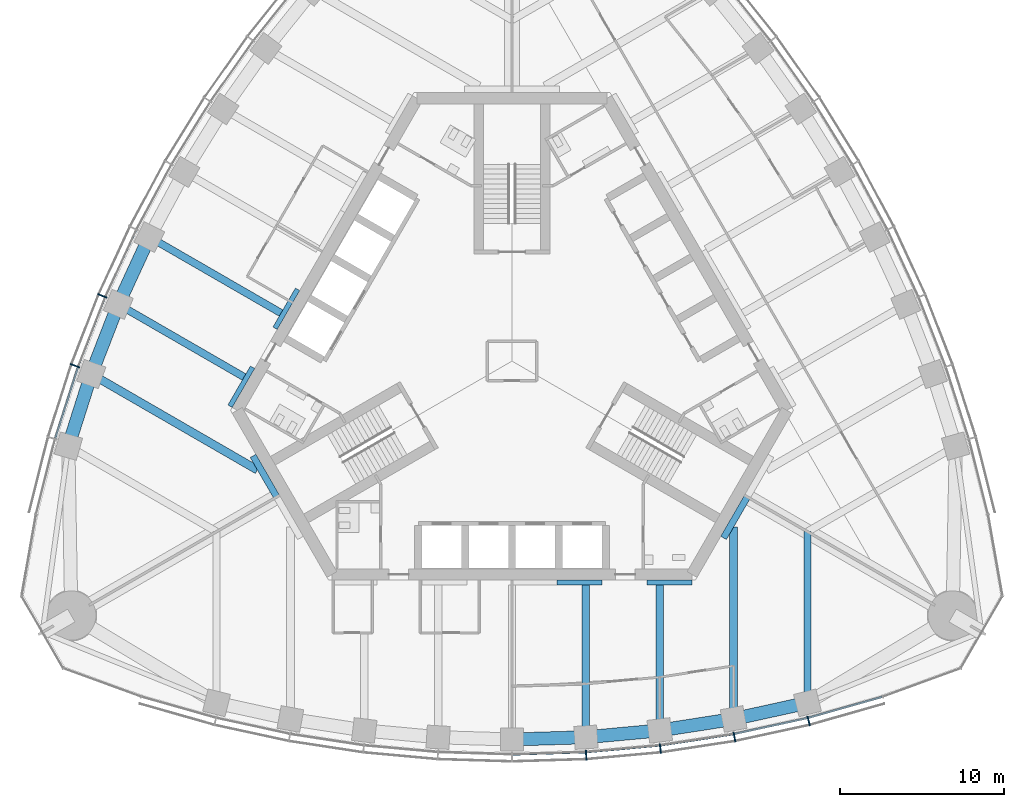
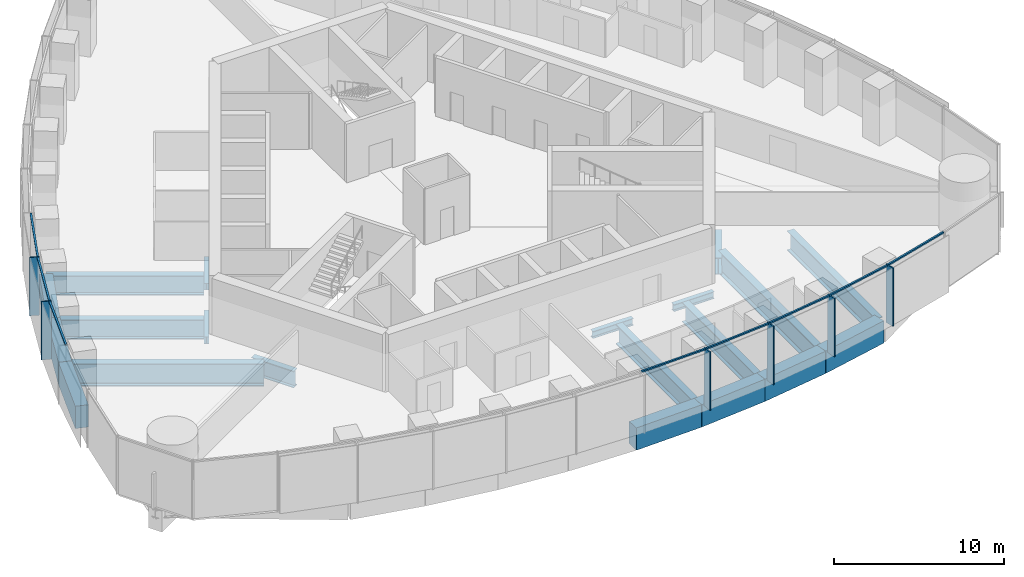
# One storey, part 3 of 15: 20 beams, 14 members, 2 elements without a shape of their own.
"""IFC4 building model written with IfcOpenShell, lengths in metres."""

import ifcopenshell
import ifcopenshell.guid

model = None  # the IFC model being written
_history = None  # IfcOwnerHistory: only IFC2X3 demands one
_inside = {}  # id of a spatial element -> (the spatial element, [elements in it])
_under = {}  # id of a project, library or spatial element -> (it, [spatial elements below it])
_declared = {}  # id of a project -> (the project, [libraries it declares])
_typed = {}  # id of a type object -> (the type object, [elements of that type])
_made_of = {}  # id of a material, layer set ... -> (it, [elements and type objects made of it])


def new_model(schema):
    """Start an empty IFC model of exactly this schema.

    Asked for "IFC4X3", IfcOpenShell would pick the latest addendum, in which some entities
    have other attributes; the version numbers below select the first issue.
    IFC2X3 requires an IfcOwnerHistory on every rooted entity: one is made here for all.
    """
    global model, _history
    if schema == "IFC4X3":
        model = ifcopenshell.file(schema_version=(4, 3, 0, 0))
    else:
        model = ifcopenshell.file(schema=schema)
    _inside.clear()
    _under.clear()
    _declared.clear()
    _typed.clear()
    _made_of.clear()
    _history = None
    if model.schema == "IFC2X3":
        org = make("IfcOrganization", Name="unknown")
        user = make(
            "IfcPersonAndOrganization",
            ThePerson=make("IfcPerson", FamilyName="unknown"),
            TheOrganization=org,
        )
        app = make(
            "IfcApplication",
            ApplicationDeveloper=org,
            Version="unknown",
            ApplicationFullName="unknown",
            ApplicationIdentifier="unknown",
        )
        _history = make(
            "IfcOwnerHistory",
            OwningUser=user,
            OwningApplication=app,
            ChangeAction="ADDED",
            CreationDate=0,
        )
    return model


def make(cls, **values):
    """One entity of the class cls with the attributes given. An attribute that is None is left unset."""
    return model.create_entity(
        cls, **{name: value for name, value in values.items() if value is not None}
    )


def rooted(cls, **values):
    """An entity with a GlobalId (a new one), such as an element, a storey or a relation."""
    return make(cls, GlobalId=ifcopenshell.guid.new(), OwnerHistory=_history, **values)


def si_unit(unit_type, name, prefix=None):
    """IfcSIUnit, for example si_unit("LENGTHUNIT", "METRE", prefix="MILLI")."""
    return make("IfcSIUnit", UnitType=unit_type, Prefix=prefix, Name=name)


def assignment(units):
    """IfcUnitAssignment: the units of a project."""
    return None if units is None else make("IfcUnitAssignment", Units=units)


def point(xyz):
    """IfcCartesianPoint."""
    return None if xyz is None else make("IfcCartesianPoint", Coordinates=xyz)


def direction(xyz):
    """IfcDirection."""
    return None if xyz is None else make("IfcDirection", DirectionRatios=xyz)


def frame(location, z_axis=None, x_axis=None):
    """IfcAxis2Placement3D, a coordinate frame: its origin and axes. An axis left out is left unset."""
    return make(
        "IfcAxis2Placement3D",
        Location=point(location),
        Axis=direction(z_axis),
        RefDirection=direction(x_axis),
    )


def frame_2d(location, x_axis=None):
    """IfcAxis2Placement2D, a coordinate frame in the plane: its origin and x axis."""
    return make(
        "IfcAxis2Placement2D", Location=point(location), RefDirection=direction(x_axis)
    )


def origin():
    """The frame at (0, 0, 0) with its axes left unset."""
    return frame((0.0, 0.0, 0.0))


def origin_2d():
    """The frame at (0, 0) in the plane with its x axis left unset."""
    return frame_2d((0.0, 0.0))


def place(relative_to, where):
    """IfcLocalPlacement: puts the frame where relative to a parent placement (None: the world)."""
    return make(
        "IfcLocalPlacement", PlacementRelTo=relative_to, RelativePlacement=where
    )


def context(
    kind, dimensions, precision=None, world=None, true_north=None, identifier=None
):
    """IfcGeometricRepresentationContext, for example the 3D "Model" context."""
    return make(
        "IfcGeometricRepresentationContext",
        ContextIdentifier=identifier,
        ContextType=kind,
        CoordinateSpaceDimension=dimensions,
        Precision=precision,
        WorldCoordinateSystem=world,
        TrueNorth=true_north,
    )


def subcontext(parent, identifier, kind, view, scale=None):
    """IfcGeometricRepresentationSubContext, for example "Body" below "Model"."""
    return make(
        "IfcGeometricRepresentationSubContext",
        ContextIdentifier=identifier,
        ContextType=kind,
        ParentContext=parent,
        TargetScale=scale,
        TargetView=view,
    )


def project(units=None, contexts=None):
    """IfcProject with its units and contexts."""
    return rooted(
        "IfcProject",
        Name="project",
        RepresentationContexts=contexts,
        UnitsInContext=assignment(units),
    )


def spatial(cls, under=None, at=None, **own):
    """A site, building, storey or space (cls), placed at a placement, below another one or the project."""
    s = rooted(cls, ObjectPlacement=at, **own)
    if under is not None:
        _under.setdefault(under.id(), (under, []))[1].append(s)
    return s


def profile(cls, at=None, kind="AREA", **sizes):
    """A parametric profile (cls). Its sizes go by their IFC names, for example OverallWidth=200.0."""
    return make(cls, ProfileType=kind, Position=at, **sizes)


def rectangle(**sizes):
    """IfcRectangleProfileDef."""
    return profile("IfcRectangleProfileDef", **sizes)


def i_section(**sizes):
    """IfcIShapeProfileDef."""
    return profile("IfcIShapeProfileDef", **sizes)


def extrude(swept, where, along, depth):
    """IfcExtrudedAreaSolid: the profile swept, set in the frame where, extruded along a direction by depth."""
    return make(
        "IfcExtrudedAreaSolid",
        SweptArea=swept,
        Position=where,
        ExtrudedDirection=direction(along),
        Depth=depth,
    )


def shape(context_of_items, identifier, shape_type, items):
    """IfcShapeRepresentation: the items that make up one representation, for example the "Body"."""
    return make(
        "IfcShapeRepresentation",
        ContextOfItems=context_of_items,
        RepresentationIdentifier=identifier,
        RepresentationType=shape_type,
        Items=items,
    )


def material(Name=None, Category=None):
    """IfcMaterial."""
    return make("IfcMaterial", Name=Name, Category=Category)


def material_profile(
    of_material, cross_section, Name=None, Category=None, Priority=None
):
    """IfcMaterialProfile: a cross section and its material."""
    return make(
        "IfcMaterialProfile",
        Name=Name,
        Material=of_material,
        Profile=cross_section,
        Priority=Priority,
        Category=Category,
    )


def profile_set(profiles, Name=None, composite=None):
    """IfcMaterialProfileSet."""
    return make(
        "IfcMaterialProfileSet",
        Name=Name,
        MaterialProfiles=profiles,
        CompositeProfile=composite,
    )


def made_of(thing, what):
    """Note that an element or type object is made of a material, layer set ...; save() writes the relation."""
    if what is not None:
        _made_of.setdefault(what.id(), (what, []))[1].append(thing)
    return thing


def type_object(cls, material=None, **own):
    """A type object (cls), such as IfcWallType, which elements share."""
    return made_of(rooted(cls, **own), material)


def element(
    cls,
    number,
    at=None,
    inside=None,
    cuts=None,
    type_object=None,
    material=None,
    context=None,
    identifier="Body",
    shape_type=None,
    held_by="IfcProductDefinitionShape",
    body=None,
    shapes=None,
    **own,
):
    """One element of the class cls, such as IfcWall. Its Tag is "e" and its number.

    at: its placement. inside: the storey or other place that contains it. cuts: it is an
    opening in that element (IfcRelVoidsElement). A single representation is given by context,
    identifier, shape_type and body (its items); several are given by shapes. held_by: the class
    of the entity that holds the representations. save() writes the other relations.
    """
    e = rooted(cls, Tag="e%d" % number, ObjectPlacement=at, **own)
    if body is not None:
        shapes = [shape(context, identifier, shape_type, body)]
    if shapes is not None:
        e.Representation = make(held_by, Representations=shapes)
    if inside is not None:
        _inside.setdefault(inside.id(), (inside, []))[1].append(e)
    if cuts is not None:
        rooted(
            "IfcRelVoidsElement", RelatingBuildingElement=cuts, RelatedOpeningElement=e
        )
    if type_object is not None:
        _typed.setdefault(type_object.id(), (type_object, []))[1].append(e)
    return made_of(e, material)


def aggregate(whole, parts):
    """IfcRelAggregates: a whole, such as a stair, and the parts it consists of."""
    return rooted("IfcRelAggregates", RelatingObject=whole, RelatedObjects=parts)


def save(model, path):
    """Write the relations noted so far, then the file.

    IfcRelAggregates (storeys below a building ...), IfcRelContainedInSpatialStructure (elements
    in a storey), IfcRelDefinesByType, IfcRelAssociatesMaterial and IfcRelDeclares: one each for
    every whole, place, type object, material and project.
    """
    for whole, parts in _under.values():
        aggregate(whole, parts)
    for where, things in _inside.values():
        rooted(
            "IfcRelContainedInSpatialStructure",
            RelatedElements=things,
            RelatingStructure=where,
        )
    for kind, things in _typed.values():
        rooted("IfcRelDefinesByType", RelatedObjects=things, RelatingType=kind)
    for what, things in _made_of.values():
        rooted("IfcRelAssociatesMaterial", RelatedObjects=things, RelatingMaterial=what)
    for by, libraries in _declared.values():
        rooted("IfcRelDeclares", RelatingContext=by, RelatedDefinitions=libraries)
    model.write(path)


model = new_model("IFC4")

# Units and contexts
model_context = context("Model", 3, precision=1e-05, world=origin(), true_north=direction((0.0, 1.0)))
body_context = subcontext(model_context, "Body", "Model", "MODEL_VIEW")
ifc_project = project(units=[si_unit("LENGTHUNIT", "METRE"), si_unit("AREAUNIT", "SQUARE_METRE"), si_unit("VOLUMEUNIT", "CUBIC_METRE"), si_unit("PLANEANGLEUNIT", "RADIAN"), si_unit("MASSUNIT", "GRAM", prefix="KILO")], contexts=[model_context])

# Site, building, storey
site_placement = place(None, origin())
site = spatial("IfcSite", under=ifc_project, at=site_placement, CompositionType="ELEMENT")
building_placement = place(site_placement, origin())
building = spatial("IfcBuilding", under=site, at=building_placement, Name="Trefoil Bronze Tower", CompositionType="ELEMENT")
storey_placement = place(building_placement, frame((0.0, 0.0, 276.300048828125)))
storey = spatial("IfcBuildingStorey", under=building, at=storey_placement, Name="L63", CompositionType="ELEMENT", Elevation=276.300048828125)

# Curtain wall, members
ifc_material_1 = material(Name="Tinted solar-control glass", Category="glass")
curtain_wall_type = type_object("IfcCurtainWallType", Name="Bronze office curtain wall", PredefinedType="USERDEFINED", material=ifc_material_1)
curtain_wall_1_placement = place(storey_placement, origin())
curtain_wall_1 = element("IfcCurtainWall", 1, at=curtain_wall_1_placement, inside=storey, type_object=curtain_wall_type, Name="CW-A L63 F1", ObjectType="CURTAIN WALL", PredefinedType="USERDEFINED")
ifc_material_2 = material(Name="Bronze-finish aluminium", Category="aluminium")
ifc_material_profile_1 = material_profile(ifc_material_2, rectangle(XDim=0.60009765625, YDim=0.080078125, at=origin_2d()), Name="CW-A mullion")
ifc_profile_set_1 = profile_set([ifc_material_profile_1], Name="Bronze-finish aluminium")
member_type_1 = type_object("IfcMemberType", Name="Bronze office curtain wall mullion", PredefinedType="MULLION", material=ifc_profile_set_1)
member_1_placement = place(storey_placement, frame((4.51806640625, -24.014892578125, 0.0), z_axis=(0.0, 0.0, 1.0), x_axis=(-0.060554040199, 0.998164920349, 0.0)))
member_1 = element("IfcMember", 2, at=member_1_placement, type_object=member_type_1, Name="CW-A L63 F1 mullion 7", PredefinedType="MULLION", context=body_context, shape_type="SweptSolid", body=[
    extrude(rectangle(XDim=0.60009765625, YDim=0.080078125, at=origin_2d()), origin(), (0.0, 0.0, 1.0), 4.179931640625),
])
member_2_placement = place(storey_placement, frame((9.036376953125, -23.602783203125, 0.0), z_axis=(0.0, 0.0, 1.0), x_axis=(-0.121109330868, 0.992639174109, 0.0)))
member_2 = element("IfcMember", 3, at=member_2_placement, type_object=member_type_1, Name="CW-A L63 F1 mullion 8", PredefinedType="MULLION", context=body_context, shape_type="SweptSolid", body=[
    extrude(rectangle(XDim=0.60009765625, YDim=0.080078125, at=origin_2d()), origin(), (0.0, 0.0, 1.0), 4.179931640625),
])
member_3_placement = place(storey_placement, frame((13.554443359375, -22.911376953125, 0.0), z_axis=(0.0, 0.0, 1.0), x_axis=(-0.181667218242, 0.983360067227, 0.0)))
member_3 = element("IfcMember", 4, at=member_3_placement, type_object=member_type_1, Name="CW-A L63 F1 mullion 9", PredefinedType="MULLION", context=body_context, shape_type="SweptSolid", body=[
    extrude(rectangle(XDim=0.60009765625, YDim=0.080078125, at=origin_2d()), origin(), (0.0, 0.0, 1.0), 4.179931640625),
])
member_4_placement = place(storey_placement, frame((18.07275390625, -21.931884765625, 0.0), z_axis=(0.0, 0.0, 1.0), x_axis=(-0.242394494031, 0.97017777199, 0.0)))
member_4 = element("IfcMember", 5, at=member_4_placement, type_object=member_type_1, Name="CW-A L63 F1 mullion 10", PredefinedType="MULLION", context=body_context, shape_type="SweptSolid", body=[
    extrude(rectangle(XDim=0.60009765625, YDim=0.080078125, at=origin_2d()), origin(), (0.0, 0.0, 1.0), 4.179931640625),
])

curtain_wall_2_placement = place(storey_placement, origin())
curtain_wall_2 = element("IfcCurtainWall", 6, at=curtain_wall_2_placement, inside=storey, type_object=curtain_wall_type, Name="CW-A L63 F3", ObjectType="CURTAIN WALL", PredefinedType="USERDEFINED")
member_5_placement = place(storey_placement, frame((-24.958984375, 3.975830078125, 0.0), z_axis=(0.0, 0.0, 1.0), x_axis=(0.920205407004, -0.391435829888, 0.0)))
member_5 = element("IfcMember", 7, at=member_5_placement, type_object=member_type_1, Name="CW-A L63 F3 mullion 8", PredefinedType="MULLION", context=body_context, shape_type="SweptSolid", body=[
    extrude(rectangle(XDim=0.60009765625, YDim=0.080078125, at=origin_2d()), origin(), (0.0, 0.0, 1.0), 4.179931640625),
])
member_6_placement = place(storey_placement, frame((-26.618896484375, -0.282958984375, 0.0), z_axis=(0.0, 0.0, 1.0), x_axis=(0.942448408407, -0.334351607581, 0.0)))
member_6 = element("IfcMember", 8, at=member_6_placement, type_object=member_type_1, Name="CW-A L63 F3 mullion 9", PredefinedType="MULLION", context=body_context, shape_type="SweptSolid", body=[
    extrude(rectangle(XDim=0.60009765625, YDim=0.080078125, at=origin_2d()), origin(), (0.0, 0.0, 1.0), 4.179931640625),
])

# Member
ifc_material_3 = material(Name="Bronze-finish aluminium", Category="aluminium")
ifc_material_profile_2 = material_profile(ifc_material_3, rectangle(XDim=0.1201171875, YDim=0.10009765625, at=origin_2d()), Name="CW-A transom")
ifc_profile_set_2 = profile_set([ifc_material_profile_2], Name="Bronze-finish aluminium")
member_type_2 = type_object("IfcMemberType", Name="Bronze office curtain wall transom", PredefinedType="USERDEFINED", material=ifc_profile_set_2)
member_7_placement = place(storey_placement, frame((0.04296875, -23.950439453125, 4.1298828125), z_axis=(0.99954057115, 0.030309183848, 0.0), x_axis=(-0.030309183848, 0.99954057115, 0.0)))
member_7 = element("IfcMember", 9, at=member_7_placement, type_object=member_type_2, Name="CW-A L63 F1 transom 6", ObjectType="TRANSOM", PredefinedType="USERDEFINED", context=body_context, shape_type="SweptSolid", body=[
    extrude(rectangle(XDim=0.1201171875, YDim=0.10009765625, at=origin_2d()), origin(), (0.0, 0.0, 1.0), 4.422119140625),
])

member_8_placement = place(storey_placement, frame((4.548828125, -23.811279296875, 4.1298828125), z_axis=(0.995868373079, 0.090808499059, 0.0), x_axis=(-0.090808499059, 0.995868373079, 0.0)))
member_8 = element("IfcMember", 10, at=member_8_placement, type_object=member_type_2, Name="CW-A L63 F1 transom 7", ObjectType="TRANSOM", PredefinedType="USERDEFINED", context=body_context, shape_type="SweptSolid", body=[
    extrude(rectangle(XDim=0.1201171875, YDim=0.10009765625, at=origin_2d()), origin(), (0.0, 0.0, 1.0), 4.438720703125),
])

member_9_placement = place(storey_placement, frame((9.0546875, -23.39794921875, 4.1298828125), z_axis=(0.988485016014, 0.151318779787, 0.0), x_axis=(-0.151318779787, 0.988485016014, 0.0)))
member_9 = element("IfcMember", 11, at=member_9_placement, type_object=member_type_2, Name="CW-A L63 F1 transom 8", ObjectType="TRANSOM", PredefinedType="USERDEFINED", context=body_context, shape_type="SweptSolid", body=[
    extrude(rectangle(XDim=0.1201171875, YDim=0.10009765625, at=origin_2d()), origin(), (0.0, 0.0, 1.0), 4.472412109375),
])

member_10_placement = place(storey_placement, frame((13.560302734375, -22.70556640625, 4.1298828125), z_axis=(0.977303780028, 0.211842681117, 0.0), x_axis=(-0.211842681117, 0.977303780028, 0.0)))
member_10 = element("IfcMember", 12, at=member_10_placement, type_object=member_type_2, Name="CW-A L63 F1 transom 9", ObjectType="TRANSOM", PredefinedType="USERDEFINED", context=body_context, shape_type="SweptSolid", body=[
    extrude(rectangle(XDim=0.1201171875, YDim=0.10009765625, at=origin_2d()), origin(), (0.0, 0.0, 1.0), 4.524658203125),
])

member_11_placement = place(storey_placement, frame((18.065673828125, -21.72607421875, 4.1298828125), z_axis=(0.962102611578, 0.272687668944, 0.0), x_axis=(-0.272687668944, 0.962102611578, 0.0)))
member_11 = element("IfcMember", 13, at=member_11_placement, type_object=member_type_2, Name="CW-A L63 F1 transom 10", ObjectType="TRANSOM", PredefinedType="USERDEFINED", context=body_context, shape_type="SweptSolid", body=[
    extrude(rectangle(XDim=0.1201171875, YDim=0.10009765625, at=origin_2d()), origin(), (0.0, 0.0, 1.0), 4.6474609375),
])

aggregate(curtain_wall_1, [member_1, member_2, member_3, member_4, member_7, member_8, member_9, member_10, member_11])

member_12_placement = place(storey_placement, frame((-22.895751953125, 7.966064453125, 4.1298828125), z_axis=(-0.4192988407, -0.907848270466, 0.0), x_axis=(0.907848270466, -0.4192988407, 0.0)))
member_12 = element("IfcMember", 14, at=member_12_placement, type_object=member_type_2, Name="CW-A L63 F3 transom 7", ObjectType="TRANSOM", PredefinedType="USERDEFINED", context=body_context, shape_type="SweptSolid", body=[
    extrude(rectangle(XDim=0.1201171875, YDim=0.10009765625, at=origin_2d()), origin(), (0.0, 0.0, 1.0), 4.4384765625),
])

member_13_placement = place(storey_placement, frame((-24.79052734375, 3.857421875, 4.1298828125), z_axis=(-0.363178486404, -0.931719586042, 0.0), x_axis=(0.931719586042, -0.363178486404, 0.0)))
member_13 = element("IfcMember", 15, at=member_13_placement, type_object=member_type_2, Name="CW-A L63 F3 transom 8", ObjectType="TRANSOM", PredefinedType="USERDEFINED", context=body_context, shape_type="SweptSolid", body=[
    extrude(rectangle(XDim=0.1201171875, YDim=0.10009765625, at=origin_2d()), origin(), (0.0, 0.0, 1.0), 4.472412109375),
])

member_14_placement = place(storey_placement, frame((-26.443603515625, -0.390869140625, 4.1298828125), z_axis=(-0.305198606794, -0.95228872219, 0.0), x_axis=(0.95228872219, -0.305198606794, 0.0)))
member_14 = element("IfcMember", 16, at=member_14_placement, type_object=member_type_2, Name="CW-A L63 F3 transom 9", ObjectType="TRANSOM", PredefinedType="USERDEFINED", context=body_context, shape_type="SweptSolid", body=[
    extrude(rectangle(XDim=0.1201171875, YDim=0.10009765625, at=origin_2d()), origin(), (0.0, 0.0, 1.0), 4.5244140625),
])

aggregate(curtain_wall_2, [member_5, member_6, member_12, member_13, member_14])

# Beams
ifc_material_4 = material(Name="Steel C355", Category="steel")
ifc_material_profile_3 = material_profile(ifc_material_4, i_section(OverallWidth=0.300048828125, OverallDepth=0.5, WebThickness=0.014404296875, FlangeThickness=0.028076171875, FilletRadius=0.027099609375, at=origin_2d()), Name="HEB 500")
ifc_profile_set_3 = profile_set([ifc_material_profile_3], Name="Steel C355")
beam_type_1 = type_object("IfcBeamType", Name="Core seat beam HEB 500", PredefinedType="BEAM", material=ifc_profile_set_3)
for number, where, z_axis, x_axis, name in (
    (17, (2.742431640625, -13.5, -0.449951171875), (1.0, 0.0, 0.0), (0.0, 1.0, 0.0), "Core seat beam F1/+1 L63"),
    (18, (8.227294921875, -13.5, -0.449951171875), (1.0, 0.0, 0.0), (0.0, 1.0, 0.0), "Core seat beam F1/+2 L63"),
    (19, (-13.0625, 4.375, -0.449951171875), (-0.500035825175, -0.866004719122, 0.0), (0.866004719122, -0.500035825175, 0.0), "Core seat beam F3/+1 L63"),
    (20, (-15.804931640625, -0.375, -0.449951171875), (-0.500035825175, -0.866004719122, 0.0), (0.866004719122, -0.500035825175, 0.0), "Core seat beam F3/+2 L63"),
):
    element("IfcBeam", number, at=place(storey_placement, frame(where, z_axis=z_axis, x_axis=x_axis)), inside=storey, type_object=beam_type_1, Name=name, PredefinedType="BEAM", context=body_context, shape_type="SweptSolid", body=[
        extrude(i_section(OverallWidth=0.300048828125, OverallDepth=0.5, WebThickness=0.014404296875, FlangeThickness=0.028076171875, FilletRadius=0.027099609375, at=origin_2d()), origin(), (0.0, 0.0, 1.0), 2.742431640625),
    ])
ifc_material_5 = material(Name="Steel C355", Category="steel")
ifc_material_profile_4 = material_profile(ifc_material_5, i_section(OverallWidth=0.39990234375, OverallDepth=1.199951171875, WebThickness=0.02001953125, FlangeThickness=0.0400390625, FilletRadius=0.010009765625, at=origin_2d()), Name="WPG 1200")
ifc_profile_set_4 = profile_set([ifc_material_profile_4], Name="Steel C355")
beam_type_2 = type_object("IfcBeamType", Name="Core seat beam WPG 1200", PredefinedType="BEAM", material=ifc_profile_set_4)
for number, where, z_axis, x_axis, name in (
    (21, (12.889404296875, -10.77490234375, -0.800048828125), (0.499995765644, 0.866027848477, 0.0), (-0.866027848477, 0.499995765644, 0.0), "Core seat beam F1/+3 L63"),
    (22, (-15.776123046875, -5.77490234375, -0.800048828125), (0.499995765644, -0.866027848477, 0.0), (0.866027848477, 0.499995765644, 0.0), "Core seat beam F3/+3 L63"),
):
    element("IfcBeam", number, at=place(storey_placement, frame(where, z_axis=z_axis, x_axis=x_axis)), inside=storey, type_object=beam_type_2, Name=name, PredefinedType="BEAM", context=body_context, shape_type="SweptSolid", body=[
        extrude(i_section(OverallWidth=0.39990234375, OverallDepth=1.199951171875, WebThickness=0.02001953125, FlangeThickness=0.0400390625, FilletRadius=0.010009765625, at=origin_2d()), origin(), (0.0, 0.0, 1.0), 2.88671875),
    ])
ifc_material_6 = material(Name="Steel C355", Category="steel")
ifc_material_profile_5 = material_profile(ifc_material_6, i_section(OverallWidth=0.449951171875, OverallDepth=1.39990234375, WebThickness=0.02294921875, FlangeThickness=0.044921875, FilletRadius=0.011962890625, at=origin_2d()), Name="WPG 1400")
ifc_profile_set_5 = profile_set([ifc_material_profile_5], Name="Steel C355")
beam_type_3 = type_object("IfcBeamType", Name="Floor beam WPG 1400", PredefinedType="BEAM", material=ifc_profile_set_5)
beam_1_placement = place(storey_placement, frame((4.5, -22.913818359375, -0.900146484375), z_axis=(0.0, 1.0, 0.0), x_axis=(-1.0, 0.0, 0.0)))
element("IfcBeam", 23, at=beam_1_placement, inside=storey, type_object=beam_type_3, Name="Floor beam F1/+1 L63", PredefinedType="BEAM", context=body_context, shape_type="SweptSolid", body=[
    extrude(i_section(OverallWidth=0.449951171875, OverallDepth=1.39990234375, WebThickness=0.02294921875, FlangeThickness=0.044921875, FilletRadius=0.011962890625, at=origin_2d()), origin(), (0.0, 0.0, 1.0), 9.263916015625),
])
beam_2_placement = place(storey_placement, frame((9.0, -22.499267578125, -0.900146484375), z_axis=(0.0, 1.0, 0.0), x_axis=(-1.0, 0.0, 0.0)))
element("IfcBeam", 24, at=beam_2_placement, inside=storey, type_object=beam_type_3, Name="Floor beam F1/+2 L63", PredefinedType="BEAM", context=body_context, shape_type="SweptSolid", body=[
    extrude(i_section(OverallWidth=0.449951171875, OverallDepth=1.39990234375, WebThickness=0.02294921875, FlangeThickness=0.044921875, FilletRadius=0.011962890625, at=origin_2d()), origin(), (0.0, 0.0, 1.0), 8.849365234375),
])
beam_3_placement = place(storey_placement, frame((18.0, -20.816162109375, -0.900146484375), z_axis=(0.0, 1.0, 0.0), x_axis=(-1.0, 0.0, 0.0)))
element("IfcBeam", 25, at=beam_3_placement, inside=storey, type_object=beam_type_3, Name="Floor beam F1/+4 L63", PredefinedType="BEAM", context=body_context, shape_type="SweptSolid", body=[
    extrude(i_section(OverallWidth=0.449951171875, OverallDepth=1.39990234375, WebThickness=0.02294921875, FlangeThickness=0.044921875, FilletRadius=0.011962890625, at=origin_2d()), origin(), (0.0, 0.0, 1.0), 10.423828125),
])
beam_4_placement = place(storey_placement, frame((-22.093994140625, 7.559814453125, -0.900146484375), z_axis=(0.866028909405, -0.499993928037, 0.0), x_axis=(0.499993928037, 0.866028909405, 0.0)))
element("IfcBeam", 26, at=beam_4_placement, inside=storey, type_object=beam_type_3, Name="Floor beam F3/+1 L63", PredefinedType="BEAM", context=body_context, shape_type="SweptSolid", body=[
    extrude(i_section(OverallWidth=0.449951171875, OverallDepth=1.39990234375, WebThickness=0.02294921875, FlangeThickness=0.044921875, FilletRadius=0.011962890625, at=origin_2d()), origin(), (0.0, 0.0, 1.0), 9.263671875),
])
beam_5_placement = place(storey_placement, frame((-23.98486328125, 3.455322265625, -0.900146484375), z_axis=(0.866025701847, -0.499999483739, 0.0), x_axis=(0.499999483739, 0.866025701847, 0.0)))
element("IfcBeam", 27, at=beam_5_placement, inside=storey, type_object=beam_type_3, Name="Floor beam F3/+2 L63", PredefinedType="BEAM", context=body_context, shape_type="SweptSolid", body=[
    extrude(i_section(OverallWidth=0.449951171875, OverallDepth=1.39990234375, WebThickness=0.02294921875, FlangeThickness=0.044921875, FilletRadius=0.011962890625, at=origin_2d()), origin(), (0.0, 0.0, 1.0), 8.84912109375),
])
ifc_material_7 = material(Name="Steel C355", Category="steel")
ifc_material_profile_6 = material_profile(ifc_material_7, i_section(OverallWidth=0.5, OverallDepth=1.60009765625, WebThickness=0.02587890625, FlangeThickness=0.050048828125, FilletRadius=0.011962890625, at=origin_2d()), Name="WPG 1600")
ifc_profile_set_6 = profile_set([ifc_material_profile_6], Name="Steel C355")
beam_type_4 = type_object("IfcBeamType", Name="Floor beam WPG 1600", PredefinedType="BEAM", material=ifc_profile_set_6)
beam_6_placement = place(storey_placement, frame((13.5, -21.802734375, -1.0), z_axis=(0.0, 1.0, 0.0), x_axis=(-1.0, 0.0, 0.0)))
element("IfcBeam", 28, at=beam_6_placement, inside=storey, type_object=beam_type_4, Name="Floor beam F1/+3 L63", PredefinedType="BEAM", context=body_context, shape_type="SweptSolid", body=[
    extrude(i_section(OverallWidth=0.5, OverallDepth=1.60009765625, WebThickness=0.02587890625, FlangeThickness=0.050048828125, FilletRadius=0.011962890625, at=origin_2d()), origin(), (0.0, 0.0, 1.0), 11.685302734375),
])
beam_7_placement = place(storey_placement, frame((-25.631591796875, -0.7900390625, -1.0), z_axis=(0.866026929639, -0.499997357134, 0.0), x_axis=(0.499997357134, 0.866026929639, 0.0)))
element("IfcBeam", 29, at=beam_7_placement, inside=storey, type_object=beam_type_4, Name="Floor beam F3/+3 L63", PredefinedType="BEAM", context=body_context, shape_type="SweptSolid", body=[
    extrude(i_section(OverallWidth=0.5, OverallDepth=1.60009765625, WebThickness=0.02587890625, FlangeThickness=0.050048828125, FilletRadius=0.011962890625, at=origin_2d()), origin(), (0.0, 0.0, 1.0), 11.68505859375),
])
ifc_material_8 = material(Name="Concrete B80", Category="concrete")
ifc_material_profile_7 = material_profile(ifc_material_8, rectangle(XDim=0.800048828125, YDim=1.60009765625, at=origin_2d()), Name="RC 800x1600")
ifc_profile_set_7 = profile_set([ifc_material_profile_7], Name="Concrete B80")
beam_type_5 = type_object("IfcBeamType", Name="Spandrel beam RC 800x1600", PredefinedType="SPANDREL", material=ifc_profile_set_7)
beam_8_placement = place(storey_placement, frame((0.0, -23.051513671875, -1.0), z_axis=(0.999532180362, 0.03058464354, 0.0), x_axis=(-0.03058464354, 0.999532180362, 0.0)))
element("IfcBeam", 30, at=beam_8_placement, inside=storey, type_object=beam_type_5, Name="Spandrel F1.6 L63", PredefinedType="SPANDREL", context=body_context, shape_type="SweptSolid", body=[
    extrude(rectangle(XDim=0.800048828125, YDim=1.60009765625, at=origin_2d()), origin(), (0.0, 0.0, 1.0), 4.502197265625),
])
beam_9_placement = place(storey_placement, frame((4.5, -22.913818359375, -1.0), z_axis=(0.995783550481, 0.091733966402, 0.0), x_axis=(-0.091733966402, 0.995783550481, 0.0)))
element("IfcBeam", 31, at=beam_9_placement, inside=storey, type_object=beam_type_5, Name="Spandrel F1.7 L63", PredefinedType="SPANDREL", context=body_context, shape_type="SweptSolid", body=[
    extrude(rectangle(XDim=0.800048828125, YDim=1.60009765625, at=origin_2d()), origin(), (0.0, 0.0, 1.0), 4.51904296875),
])
beam_10_placement = place(storey_placement, frame((9.0, -22.499267578125, -1.0), z_axis=(0.988231820946, 0.152963616816, 0.0), x_axis=(-0.152963616816, 0.988231820946, 0.0)))
element("IfcBeam", 32, at=beam_10_placement, inside=storey, type_object=beam_type_5, Name="Spandrel F1.8 L63", PredefinedType="SPANDREL", context=body_context, shape_type="SweptSolid", body=[
    extrude(rectangle(XDim=0.800048828125, YDim=1.60009765625, at=origin_2d()), origin(), (0.0, 0.0, 1.0), 4.553466796875),
])
beam_11_placement = place(storey_placement, frame((13.5, -21.802734375, -1.0), z_axis=(0.976800342355, 0.214152028182, 0.0), x_axis=(-0.214152028182, 0.976800342355, 0.0)))
element("IfcBeam", 33, at=beam_11_placement, inside=storey, type_object=beam_type_5, Name="Spandrel F1.9 L63", PredefinedType="SPANDREL", context=body_context, shape_type="SweptSolid", body=[
    extrude(rectangle(XDim=0.800048828125, YDim=1.60009765625, at=origin_2d()), origin(), (0.0, 0.0, 1.0), 4.60693359375),
])
beam_12_placement = place(storey_placement, frame((-22.093994140625, 7.559814453125, -1.0), z_axis=(-0.418417425199, -0.90825484215, 0.0), x_axis=(0.90825484215, -0.418417425199, 0.0)))
element("IfcBeam", 34, at=beam_12_placement, inside=storey, type_object=beam_type_5, Name="Spandrel F3.7 L63", PredefinedType="SPANDREL", context=body_context, shape_type="SweptSolid", body=[
    extrude(rectangle(XDim=0.800048828125, YDim=1.60009765625, at=origin_2d()), origin(), (0.0, 0.0, 1.0), 4.51904296875),
])
beam_13_placement = place(storey_placement, frame((-23.98486328125, 3.455322265625, -1.0), z_axis=(-0.361636286502, -0.932319256631, 0.0), x_axis=(0.932319256631, -0.361636286502, 0.0)))
element("IfcBeam", 35, at=beam_13_placement, inside=storey, type_object=beam_type_5, Name="Spandrel F3.8 L63", PredefinedType="SPANDREL", context=body_context, shape_type="SweptSolid", body=[
    extrude(rectangle(XDim=0.800048828125, YDim=1.60009765625, at=origin_2d()), origin(), (0.0, 0.0, 1.0), 4.553466796875),
])
beam_14_placement = place(storey_placement, frame((-25.631591796875, -0.7900390625, -1.0), z_axis=(-0.302969597344, -0.953000221975, 0.0), x_axis=(0.953000221975, -0.302969597344, 0.0)))
element("IfcBeam", 36, at=beam_14_placement, inside=storey, type_object=beam_type_5, Name="Spandrel F3.9 L63", PredefinedType="SPANDREL", context=body_context, shape_type="SweptSolid", body=[
    extrude(rectangle(XDim=0.800048828125, YDim=1.60009765625, at=origin_2d()), origin(), (0.0, 0.0, 1.0), 4.60693359375),
])

save(model, "model.ifc")
